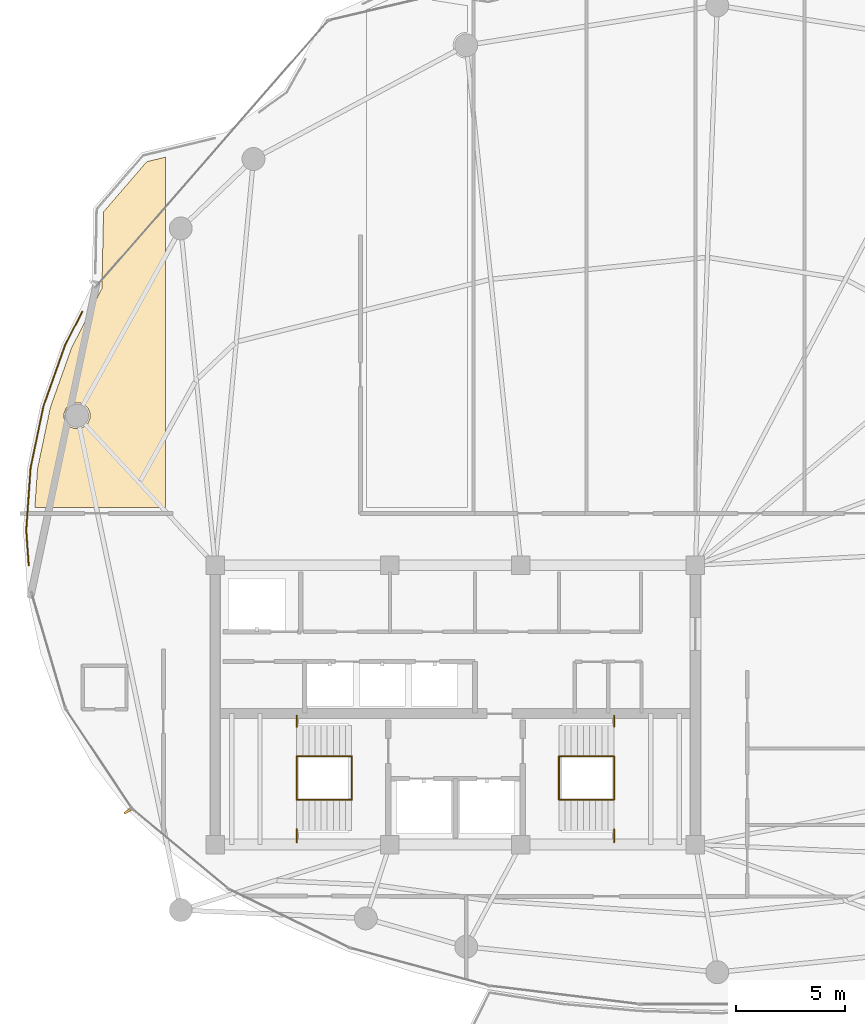
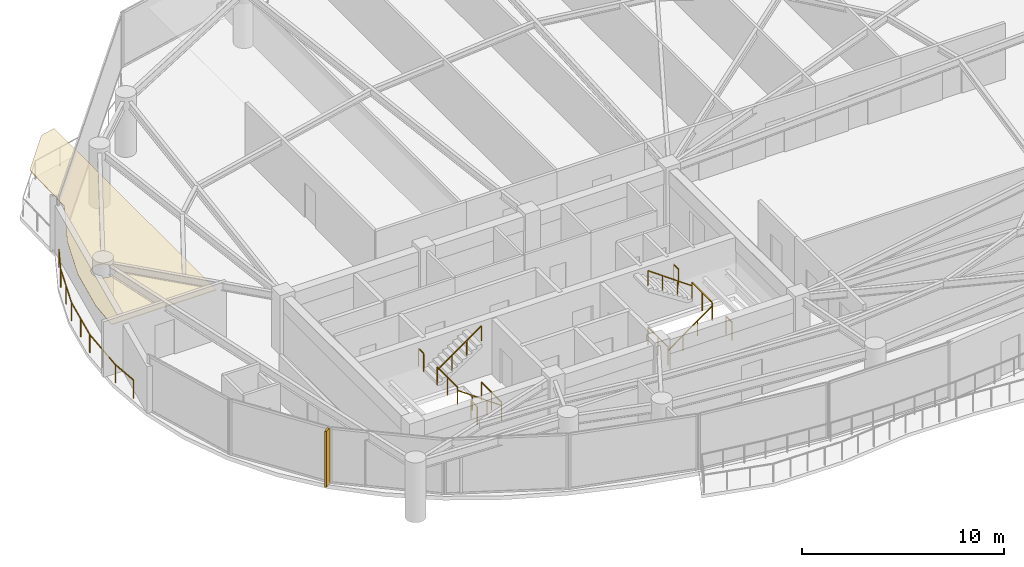
# One storey, part 26 of 28: 13 railings, 1 covering, 1 shading device.
"""IFC4 building model written with IfcOpenShell, lengths in metres."""

from ifc_helpers import new_model, si_unit, direction, frame, origin, origin_2d, place, context, subcontext, project, spatial, polyline, rectangle, outline, extrude, material, layer, layer_set, type_object, element, save


model = new_model("IFC4")

# Units and contexts
model_context = context("Model", 3, precision=1e-05, world=origin(), true_north=direction((0.0, 1.0)))
body_context = subcontext(model_context, "Body", "Model", "MODEL_VIEW")
ifc_project = project(units=[si_unit("LENGTHUNIT", "METRE"), si_unit("AREAUNIT", "SQUARE_METRE"), si_unit("VOLUMEUNIT", "CUBIC_METRE"), si_unit("PLANEANGLEUNIT", "RADIAN"), si_unit("MASSUNIT", "GRAM", prefix="KILO")], contexts=[model_context])

# Site, building, storey
site_placement = place(None, origin())
site = spatial("IfcSite", under=ifc_project, at=site_placement, CompositionType="ELEMENT")
building_placement = place(site_placement, origin())
building = spatial("IfcBuilding", under=site, at=building_placement, Name="Kazevale Care Tower and Concert Hall", CompositionType="ELEMENT")
storey_placement = place(building_placement, frame((0.0, 0.0, 231.60009765625)))
storey = spatial("IfcBuildingStorey", under=building, at=storey_placement, Name="L61", CompositionType="ELEMENT", Elevation=231.60009765625)

# Covering
ifc_material_1 = material(Name="Acoustic Plaster and Hinoki Wood", Category="wood")
ifc_layer = layer(ifc_material_1, 0.0400390625)
ifc_layer_set = layer_set([ifc_layer], Name="Acoustic Plaster and Hinoki Wood")
covering_type = type_object("IfcCoveringType", Name="Acoustic Perforated Wood-Gypsum Ceiling", PredefinedType="CEILING", material=ifc_layer_set)
covering_placement = place(storey_placement, frame((0.0, 0.0, 2.7099609375)))
element("IfcCovering", 1, at=covering_placement, inside=storey, type_object=covering_type, Name="clg:L61:1", PredefinedType="CEILING", context=body_context, shape_type="SweptSolid", body=[
    extrude(outline(polyline([(14.44091796875, 43.615966796875), (15.407958984375, 46.339111328125), (16.806884765625, 49.0791015625), (16.8798828125, 52.589111328125), (18.864990234375, 54.888916015625), (19.719970703125, 55.095947265625), (19.719970703125, 39.054931640625), (13.73388671875, 39.054931640625), (13.85693359375, 40.824951171875), (14.44091796875, 43.615966796875)]), holes=[polyline([(16.262939453125, 43.367919921875), (16.173095703125, 43.5859375), (16.006103515625, 43.7529296875), (15.7880859375, 43.843017578125), (15.552001953125, 43.843017578125), (15.333984375, 43.7529296875), (15.1669921875, 43.5859375), (15.076904296875, 43.367919921875), (15.076904296875, 43.132080078125), (15.1669921875, 42.9140625), (15.333984375, 42.7470703125), (15.552001953125, 42.656982421875), (15.7880859375, 42.656982421875), (16.006103515625, 42.7470703125), (16.173095703125, 42.9140625), (16.262939453125, 43.132080078125), (16.262939453125, 43.367919921875)])]), origin(), (0.0, 0.0, 1.0), 0.0400390625),
])

# Railings
ifc_material_2 = material(Name="Anodised Bronze Aluminium and Laminated Glass", Category="aluminium")
railing_type_1 = type_object("IfcRailingType", Name="Balcony and Terrace Balustrade 1120", PredefinedType="BALUSTRADE", material=ifc_material_2)
railing_1_placement = place(storey_placement, frame((13.451904296875, 36.39892578125, 0.0)))
element("IfcRailing", 2, at=railing_1_placement, inside=storey, type_object=railing_type_1, Name="rail:L61:perim:1", PredefinedType="BALUSTRADE", context=body_context, shape_type="SweptSolid", body=[
    extrude(rectangle(XDim=0.048095703125, YDim=0.048095703125, at=origin_2d()), frame((0.0, 0.0, 1.09619140625), z_axis=(-0.069668671127, 0.997570186134, 0.0), x_axis=(-0.997570186134, -0.069668671127, 0.0)), (0.0, 0.0, 1.0), 1.60498046875),
    extrude(rectangle(XDim=0.048095703125, YDim=0.048095703125, at=origin_2d()), frame((-0.11181640625, 1.60107421875, 1.09619140625), z_axis=(0.069189590327, 0.997603528758, 0.0), x_axis=(-0.997603528758, 0.069189590327, 0.0)), (0.0, 0.0, 1.0), 2.875732421875),
    extrude(rectangle(XDim=0.048095703125, YDim=0.048095703125, at=origin_2d()), frame((0.087158203125, 4.469970703125, 1.09619140625), z_axis=(0.204816187417, 0.978800454317, 0.0), x_axis=(-0.978800454317, 0.204816187417, 0.0)), (0.0, 0.0, 1.0), 2.895263671875),
    extrude(rectangle(XDim=0.048095703125, YDim=0.048095703125, at=origin_2d()), frame((0.68017578125, 7.303955078125, 1.09619140625), z_axis=(0.334552974602, 0.942376945381, 0.0), x_axis=(-0.942376945381, 0.334552974602, 0.0)), (0.0, 0.0, 1.0), 2.93212890625),
    extrude(rectangle(XDim=0.048095703125, YDim=0.048095703125, at=origin_2d()), frame((1.6611328125, 10.067138671875, 1.09619140625), z_axis=(0.455056261721, 0.890462687971, 0.0), x_axis=(-0.890462687971, 0.455056261721, 0.0)), (0.0, 0.0, 1.0), 1.72705078125),
    extrude(rectangle(XDim=0.0419921875, YDim=0.0419921875, at=origin_2d()), origin(), (0.0, 0.0, 1.0), 1.072021484375),
    extrude(rectangle(XDim=0.0419921875, YDim=0.0419921875, at=origin_2d()), frame((-0.11181640625, 1.60107421875, 0.0)), (0.0, 0.0, 1.0), 1.072021484375),
    extrude(rectangle(XDim=0.0419921875, YDim=0.0419921875, at=origin_2d()), frame((-0.01220703125, 3.03564453125, 0.0)), (0.0, 0.0, 1.0), 1.072021484375),
    extrude(rectangle(XDim=0.0419921875, YDim=0.0419921875, at=origin_2d()), frame((0.087158203125, 4.469970703125, 0.0)), (0.0, 0.0, 1.0), 1.072021484375),
    extrude(rectangle(XDim=0.0419921875, YDim=0.0419921875, at=origin_2d()), frame((0.3837890625, 5.886962890625, 0.0)), (0.0, 0.0, 1.0), 1.072021484375),
    extrude(rectangle(XDim=0.0419921875, YDim=0.0419921875, at=origin_2d()), frame((0.68017578125, 7.303955078125, 0.0)), (0.0, 0.0, 1.0), 1.072021484375),
    extrude(rectangle(XDim=0.0419921875, YDim=0.0419921875, at=origin_2d()), frame((1.170654296875, 8.685546875, 0.0)), (0.0, 0.0, 1.0), 1.072021484375),
    extrude(rectangle(XDim=0.0419921875, YDim=0.0419921875, at=origin_2d()), frame((1.6611328125, 10.067138671875, 0.0)), (0.0, 0.0, 1.0), 1.072021484375),
    extrude(rectangle(XDim=0.0419921875, YDim=0.0419921875, at=origin_2d()), frame((2.447021484375, 11.60498046875, 0.0)), (0.0, 0.0, 1.0), 1.072021484375),
])
ifc_material_3 = material(Name="Stainless Steel 316", Category="steel")
railing_type_2 = type_object("IfcRailingType", Name="Stair Pitch Handrail 920", PredefinedType="HANDRAIL", material=ifc_material_3)
railing_2_placement = place(storey_placement, frame((28.25, 25.64990234375, 0.0)))
element("IfcRailing", 3, at=railing_2_placement, inside=storey, type_object=railing_type_2, Name="stair:L61:ST1:hr1", PredefinedType="HANDRAIL", context=body_context, shape_type="SweptSolid", body=[
    extrude(rectangle(XDim=0.048095703125, YDim=0.048095703125, at=origin_2d()), frame((0.0, 0.0, 0.89599609375), z_axis=(-0.813765431312, 0.0, 0.581193446971), x_axis=(0.0, -1.0, 0.0)), (0.0, 0.0, 1.0), 3.0966796875),
    extrude(rectangle(XDim=0.0419921875, YDim=0.0419921875, at=origin_2d()), origin(), (0.0, 0.0, 1.0), 0.871826171875),
    extrude(rectangle(XDim=0.0419921875, YDim=0.0419921875, at=origin_2d()), frame((-0.840087890625, 0.0, 0.599853515625)), (0.0, 0.0, 1.0), 0.871826171875),
    extrude(rectangle(XDim=0.0419921875, YDim=0.0419921875, at=origin_2d()), frame((-1.679931640625, 0.0, 1.199951171875)), (0.0, 0.0, 1.0), 0.871826171875),
    extrude(rectangle(XDim=0.0419921875, YDim=0.0419921875, at=origin_2d()), frame((-2.52001953125, 0.0, 1.7998046875)), (0.0, 0.0, 1.0), 0.871826171875),
])
railing_3_placement = place(storey_placement, frame((25.72998046875, 27.64990234375, 1.7998046875)))
element("IfcRailing", 4, at=railing_3_placement, inside=storey, type_object=railing_type_2, Name="stair:L61:ST1:hr2", PredefinedType="HANDRAIL", context=body_context, shape_type="SweptSolid", body=[
    extrude(rectangle(XDim=0.048095703125, YDim=0.048095703125, at=origin_2d()), frame((0.0, 0.0, 0.89599609375), z_axis=(0.813728144527, 0.0, 0.581245650998), x_axis=(0.0, 1.0, 0.0)), (0.0, 0.0, 1.0), 3.096923828125),
    extrude(rectangle(XDim=0.0419921875, YDim=0.0419921875, at=origin_2d()), origin(), (0.0, 0.0, 1.0), 0.871826171875),
    extrude(rectangle(XDim=0.0419921875, YDim=0.0419921875, at=origin_2d()), frame((0.840087890625, 0.0, 0.60009765625)), (0.0, 0.0, 1.0), 0.871826171875),
    extrude(rectangle(XDim=0.0419921875, YDim=0.0419921875, at=origin_2d()), frame((1.679931640625, 0.0, 1.199951171875)), (0.0, 0.0, 1.0), 0.871826171875),
    extrude(rectangle(XDim=0.0419921875, YDim=0.0419921875, at=origin_2d()), frame((2.52001953125, 0.0, 1.800048828125)), (0.0, 0.0, 1.0), 0.871826171875),
])
railing_4_placement = place(storey_placement, frame((37.75, 25.64990234375, 0.0)))
element("IfcRailing", 5, at=railing_4_placement, inside=storey, type_object=railing_type_2, Name="stair:L61:ST2:hr1", PredefinedType="HANDRAIL", context=body_context, shape_type="SweptSolid", body=[
    extrude(rectangle(XDim=0.048095703125, YDim=0.048095703125, at=origin_2d()), frame((0.0, 0.0, 0.89599609375), z_axis=(0.813765431312, 0.0, 0.581193446971), x_axis=(0.0, 1.0, 0.0)), (0.0, 0.0, 1.0), 3.0966796875),
    extrude(rectangle(XDim=0.0419921875, YDim=0.0419921875, at=origin_2d()), origin(), (0.0, 0.0, 1.0), 0.871826171875),
    extrude(rectangle(XDim=0.0419921875, YDim=0.0419921875, at=origin_2d()), frame((0.840087890625, 0.0, 0.599853515625)), (0.0, 0.0, 1.0), 0.871826171875),
    extrude(rectangle(XDim=0.0419921875, YDim=0.0419921875, at=origin_2d()), frame((1.679931640625, 0.0, 1.199951171875)), (0.0, 0.0, 1.0), 0.871826171875),
    extrude(rectangle(XDim=0.0419921875, YDim=0.0419921875, at=origin_2d()), frame((2.52001953125, 0.0, 1.7998046875)), (0.0, 0.0, 1.0), 0.871826171875),
])
railing_5_placement = place(storey_placement, frame((40.27001953125, 27.64990234375, 1.7998046875)))
element("IfcRailing", 6, at=railing_5_placement, inside=storey, type_object=railing_type_2, Name="stair:L61:ST2:hr2", PredefinedType="HANDRAIL", context=body_context, shape_type="SweptSolid", body=[
    extrude(rectangle(XDim=0.048095703125, YDim=0.048095703125, at=origin_2d()), frame((0.0, 0.0, 0.89599609375), z_axis=(-0.813728144527, 0.0, 0.581245650998), x_axis=(0.0, -1.0, 0.0)), (0.0, 0.0, 1.0), 3.096923828125),
    extrude(rectangle(XDim=0.0419921875, YDim=0.0419921875, at=origin_2d()), origin(), (0.0, 0.0, 1.0), 0.871826171875),
    extrude(rectangle(XDim=0.0419921875, YDim=0.0419921875, at=origin_2d()), frame((-0.840087890625, 0.0, 0.60009765625)), (0.0, 0.0, 1.0), 0.871826171875),
    extrude(rectangle(XDim=0.0419921875, YDim=0.0419921875, at=origin_2d()), frame((-1.679931640625, 0.0, 1.199951171875)), (0.0, 0.0, 1.0), 0.871826171875),
    extrude(rectangle(XDim=0.0419921875, YDim=0.0419921875, at=origin_2d()), frame((-2.52001953125, 0.0, 1.800048828125)), (0.0, 0.0, 1.0), 0.871826171875),
])
railing_type_3 = type_object("IfcRailingType", Name="Stair Well Guard Balustrade 1120", PredefinedType="BALUSTRADE", material=ifc_material_3)
railing_6_placement = place(storey_placement, frame((25.72998046875, 23.699951171875, 1.7998046875)))
element("IfcRailing", 7, at=railing_6_placement, inside=storey, type_object=railing_type_3, Name="stair:L61:ST1:grd_side1", PredefinedType="BALUSTRADE", context=body_context, shape_type="SweptSolid", body=[
    extrude(rectangle(XDim=0.048095703125, YDim=0.048095703125, at=origin_2d()), frame((0.0, 0.0, 1.09619140625), z_axis=(0.0, 1.0, 0.0), x_axis=(-1.0, 0.0, 0.0)), (0.0, 0.0, 1.0), 0.610107421875),
    extrude(rectangle(XDim=0.0419921875, YDim=0.0419921875, at=origin_2d()), origin(), (0.0, 0.0, 1.0), 1.072021484375),
    extrude(rectangle(XDim=0.0419921875, YDim=0.0419921875, at=origin_2d()), frame((0.0, 0.610107421875, 0.0)), (0.0, 0.0, 1.0), 1.072021484375),
])
railing_7_placement = place(storey_placement, frame((25.72998046875, 28.989990234375, 1.7998046875)))
element("IfcRailing", 8, at=railing_7_placement, inside=storey, type_object=railing_type_3, Name="stair:L61:ST1:grd_side2", PredefinedType="BALUSTRADE", context=body_context, shape_type="SweptSolid", body=[
    extrude(rectangle(XDim=0.048095703125, YDim=0.048095703125, at=origin_2d()), frame((0.0, 0.0, 1.09619140625), z_axis=(0.0, 1.0, 0.0), x_axis=(-1.0, 0.0, 0.0)), (0.0, 0.0, 1.0), 0.510009765625),
    extrude(rectangle(XDim=0.0419921875, YDim=0.0419921875, at=origin_2d()), origin(), (0.0, 0.0, 1.0), 1.072021484375),
    extrude(rectangle(XDim=0.0419921875, YDim=0.0419921875, at=origin_2d()), frame((0.0, 0.510009765625, 0.0)), (0.0, 0.0, 1.0), 1.072021484375),
])
for number, where, name in (
    (9, (25.72998046875, 25.64990234375, 1.7998046875), "stair:L61:ST1:grd_mid"),
    (10, (28.25, 25.64990234375, 0.0), "stair:L61:ST1:grd_flr"),
):
    element("IfcRailing", number, at=place(storey_placement, frame(where)), inside=storey, type_object=railing_type_3, Name=name, PredefinedType="BALUSTRADE", context=body_context, shape_type="SweptSolid", body=[
        extrude(rectangle(XDim=0.048095703125, YDim=0.048095703125, at=origin_2d()), frame((0.0, 0.0, 1.09619140625), z_axis=(0.0, 1.0, 0.0), x_axis=(-1.0, 0.0, 0.0)), (0.0, 0.0, 1.0), 2.0),
        extrude(rectangle(XDim=0.0419921875, YDim=0.0419921875, at=origin_2d()), origin(), (0.0, 0.0, 1.0), 1.072021484375),
        extrude(rectangle(XDim=0.0419921875, YDim=0.0419921875, at=origin_2d()), frame((0.0, 1.0, 0.0)), (0.0, 0.0, 1.0), 1.072021484375),
        extrude(rectangle(XDim=0.0419921875, YDim=0.0419921875, at=origin_2d()), frame((0.0, 2.0, 0.0)), (0.0, 0.0, 1.0), 1.072021484375),
    ])
railing_8_placement = place(storey_placement, frame((40.27001953125, 23.699951171875, 1.7998046875)))
element("IfcRailing", 11, at=railing_8_placement, inside=storey, type_object=railing_type_3, Name="stair:L61:ST2:grd_side1", PredefinedType="BALUSTRADE", context=body_context, shape_type="SweptSolid", body=[
    extrude(rectangle(XDim=0.048095703125, YDim=0.048095703125, at=origin_2d()), frame((0.0, 0.0, 1.09619140625), z_axis=(0.0, 1.0, 0.0), x_axis=(-1.0, 0.0, 0.0)), (0.0, 0.0, 1.0), 0.610107421875),
    extrude(rectangle(XDim=0.0419921875, YDim=0.0419921875, at=origin_2d()), origin(), (0.0, 0.0, 1.0), 1.072021484375),
    extrude(rectangle(XDim=0.0419921875, YDim=0.0419921875, at=origin_2d()), frame((0.0, 0.610107421875, 0.0)), (0.0, 0.0, 1.0), 1.072021484375),
])
railing_9_placement = place(storey_placement, frame((40.27001953125, 28.989990234375, 1.7998046875)))
element("IfcRailing", 12, at=railing_9_placement, inside=storey, type_object=railing_type_3, Name="stair:L61:ST2:grd_side2", PredefinedType="BALUSTRADE", context=body_context, shape_type="SweptSolid", body=[
    extrude(rectangle(XDim=0.048095703125, YDim=0.048095703125, at=origin_2d()), frame((0.0, 0.0, 1.09619140625), z_axis=(0.0, 1.0, 0.0), x_axis=(-1.0, 0.0, 0.0)), (0.0, 0.0, 1.0), 0.510009765625),
    extrude(rectangle(XDim=0.0419921875, YDim=0.0419921875, at=origin_2d()), origin(), (0.0, 0.0, 1.0), 1.072021484375),
    extrude(rectangle(XDim=0.0419921875, YDim=0.0419921875, at=origin_2d()), frame((0.0, 0.510009765625, 0.0)), (0.0, 0.0, 1.0), 1.072021484375),
])
for number, where, name in (
    (13, (40.27001953125, 25.64990234375, 1.7998046875), "stair:L61:ST2:grd_mid"),
    (14, (37.75, 25.64990234375, 0.0), "stair:L61:ST2:grd_flr"),
):
    element("IfcRailing", number, at=place(storey_placement, frame(where)), inside=storey, type_object=railing_type_3, Name=name, PredefinedType="BALUSTRADE", context=body_context, shape_type="SweptSolid", body=[
        extrude(rectangle(XDim=0.048095703125, YDim=0.048095703125, at=origin_2d()), frame((0.0, 0.0, 1.09619140625), z_axis=(0.0, 1.0, 0.0), x_axis=(-1.0, 0.0, 0.0)), (0.0, 0.0, 1.0), 2.0),
        extrude(rectangle(XDim=0.0419921875, YDim=0.0419921875, at=origin_2d()), origin(), (0.0, 0.0, 1.0), 1.072021484375),
        extrude(rectangle(XDim=0.0419921875, YDim=0.0419921875, at=origin_2d()), frame((0.0, 1.0, 0.0)), (0.0, 0.0, 1.0), 1.072021484375),
        extrude(rectangle(XDim=0.0419921875, YDim=0.0419921875, at=origin_2d()), frame((0.0, 2.0, 0.0)), (0.0, 0.0, 1.0), 1.072021484375),
    ])

# Shading device
ifc_material_4 = material(Name="Anodised Bronze Aluminium", Category="aluminium")
shading_device_type = type_object("IfcShadingDeviceType", Name="Waist Anodised Bronze-Stone Fin FIN-02", PredefinedType="USERDEFINED", material=ifc_material_4)
shading_device_placement = place(storey_placement, frame((17.972900390625, 25.121337890625, 0.0), z_axis=(0.0, 0.0, 1.0), x_axis=(-0.832147748683, -0.554553986878, 0.0)))
element("IfcShadingDevice", 15, at=shading_device_placement, inside=storey, type_object=shading_device_type, Name="cw:L61:f11:fin", ObjectType="FIN", PredefinedType="USERDEFINED", context=body_context, shape_type="SweptSolid", body=[
    extrude(rectangle(XDim=0.340087890625, YDim=0.10009765625, at=origin_2d()), origin(), (0.0, 0.0, 1.0), 3.360107421875),
])

save(model, "model.ifc")
